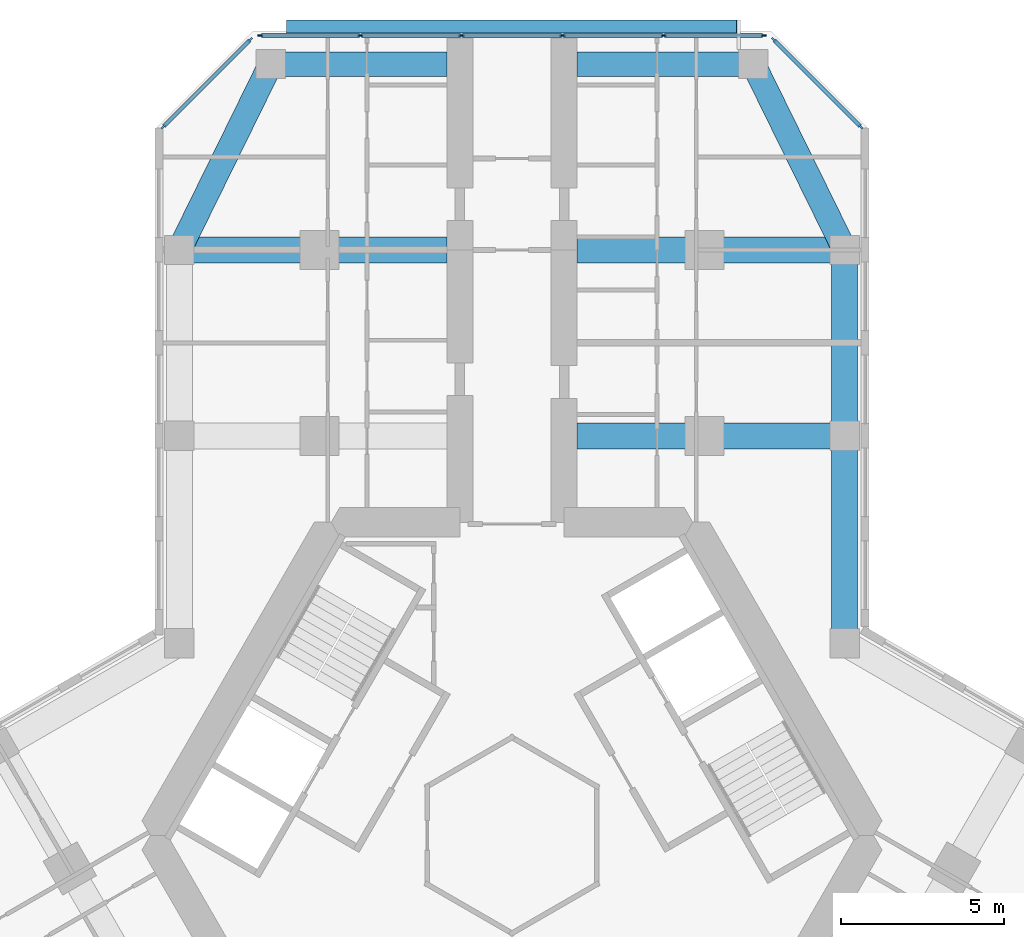
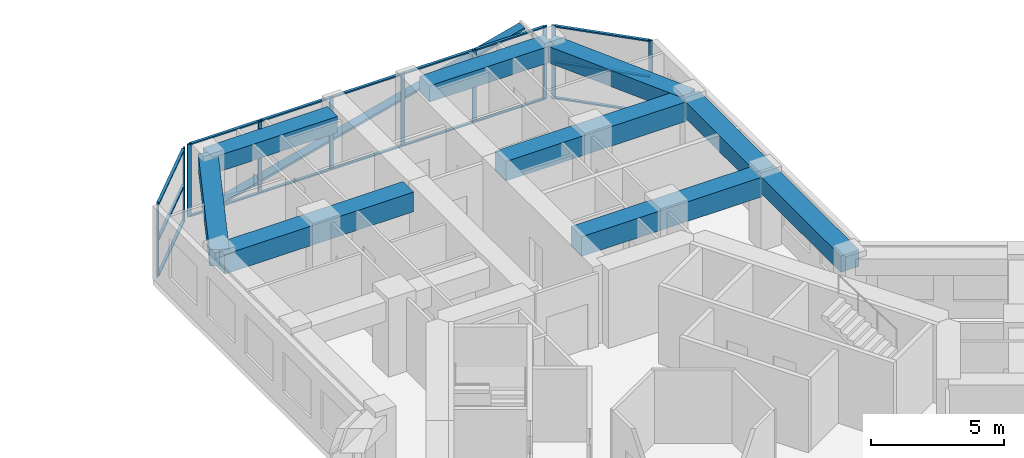
# One storey, part 7 of 19: 27 members, 9 beams, 3 elements without a shape of their own.
"""IFC4 building model written with IfcOpenShell, lengths in metres."""

from ifc_helpers import new_model, si_unit, direction, frame, origin, origin_2d, place, context, subcontext, project, spatial, rectangle, extrude, material, material_profile, profile_set, type_object, element, aggregate, save


model = new_model("IFC4")

# Units and contexts
model_context = context("Model", 3, precision=1e-05, world=origin(), true_north=direction((0.0, 1.0)))
body_context = subcontext(model_context, "Body", "Model", "MODEL_VIEW")
ifc_project = project(units=[si_unit("LENGTHUNIT", "METRE"), si_unit("AREAUNIT", "SQUARE_METRE"), si_unit("VOLUMEUNIT", "CUBIC_METRE"), si_unit("PLANEANGLEUNIT", "RADIAN"), si_unit("MASSUNIT", "GRAM", prefix="KILO")], contexts=[model_context])

# Site, building, storey
site_placement = place(None, origin())
site = spatial("IfcSite", under=ifc_project, at=site_placement, CompositionType="ELEMENT")
building_placement = place(site_placement, origin())
building = spatial("IfcBuilding", under=site, at=building_placement, Name="Kosmar Iwan School Tower", CompositionType="ELEMENT")
storey_placement = place(building_placement, frame((0.0, 0.0, 149.0)))
storey = spatial("IfcBuildingStorey", under=building, at=storey_placement, Name="L37", CompositionType="ELEMENT", Elevation=149.0)

# Member
ifc_material_1 = material(Name="Black anodised aluminium", Category="aluminium")
ifc_material_profile_1 = material_profile(ifc_material_1, rectangle(XDim=0.10009765625, YDim=0.39990234375, at=origin_2d()), Name="FIN 100x400")
ifc_profile_set_1 = profile_set([ifc_material_profile_1], Name="Black anodised aluminium")
member_type_1 = type_object("IfcMemberType", Name="Diagonal fin 100x400", PredefinedType="USERDEFINED", material=ifc_profile_set_1)
member_1_placement = place(storey_placement, frame((-6.898193359375, 24.800048828125, -0.14990234375), z_axis=(0.967603633438, 0.0, 0.252474174041), x_axis=(-0.252474174041, 0.0, 0.967603633438)))
element("IfcMember", 1, at=member_1_placement, inside=storey, type_object=member_type_1, Name="Diagonal fin L37-F08", ObjectType="FIN", PredefinedType="USERDEFINED", context=body_context, shape_type="SweptSolid", body=[
    extrude(rectangle(XDim=0.10009765625, YDim=0.39990234375, at=origin_2d()), origin(), (0.0, 0.0, 1.0), 14.25830078125),
])

# Curtain wall, members
ifc_material_2 = material(Name="Dark glass in black aluminium frame", Category="aluminium")
curtain_wall_type_1 = type_object("IfcCurtainWallType", Name="Chamfer curtain wall dark glass", PredefinedType="USERDEFINED", material=ifc_material_2)
curtain_wall_1_placement = place(storey_placement, origin())
curtain_wall_1 = element("IfcCurtainWall", 2, at=curtain_wall_1_placement, inside=storey, type_object=curtain_wall_type_1, Name="Curtain wall L37-F07", ObjectType="FACETED CURTAIN WALL", PredefinedType="USERDEFINED")
ifc_material_3 = material(Name="Black anodised aluminium", Category="aluminium")
ifc_material_profile_2 = material_profile(ifc_material_3, rectangle(XDim=0.06005859375, YDim=0.159912109375, at=origin_2d()), Name="MULLION 60x160")
ifc_profile_set_2 = profile_set([ifc_material_profile_2], Name="Black anodised aluminium")
member_type_2 = type_object("IfcMemberType", Name="Mullion 60x160", PredefinedType="MULLION", material=ifc_profile_set_2)
member_2_placement = place(storey_placement, frame((10.69775390625, 21.7255859375, 0.0), z_axis=(0.0, 0.0, 1.0), x_axis=(-0.707106781187, -0.707106781187, 0.0)))
member_2 = element("IfcMember", 3, at=member_2_placement, type_object=member_type_2, Name="CW2 mullion 1", PredefinedType="MULLION", context=body_context, shape_type="SweptSolid", body=[
    extrude(rectangle(XDim=0.06005859375, YDim=0.159912109375, at=origin_2d()), origin(), (0.0, 0.0, 1.0), 3.35009765625),
])
member_3_placement = place(storey_placement, frame((8.025390625, 24.397705078125, 0.0), z_axis=(0.0, 0.0, 1.0), x_axis=(-0.707106781187, -0.707106781187, 0.0)))
member_3 = element("IfcMember", 4, at=member_3_placement, type_object=member_type_2, Name="CW2 mullion 2", PredefinedType="MULLION", context=body_context, shape_type="SweptSolid", body=[
    extrude(rectangle(XDim=0.06005859375, YDim=0.159912109375, at=origin_2d()), origin(), (0.0, 0.0, 1.0), 3.35009765625),
])

ifc_material_4 = material(Name="Dark glass in black aluminium frame", Category="aluminium")
curtain_wall_type_2 = type_object("IfcCurtainWallType", Name="Tower curtain wall dark glass", PredefinedType="USERDEFINED", material=ifc_material_4)
curtain_wall_2_placement = place(storey_placement, origin())
curtain_wall_2 = element("IfcCurtainWall", 5, at=curtain_wall_2_placement, inside=storey, type_object=curtain_wall_type_2, Name="Curtain wall L37-F08", ObjectType="UNITISED CURTAIN WALL", PredefinedType="USERDEFINED")
member_4_placement = place(storey_placement, frame((7.71826171875, 24.52490234375, 0.0), z_axis=(0.0, 0.0, 1.0), x_axis=(0.0, -1.0, 0.0)))
member_4 = element("IfcMember", 6, at=member_4_placement, type_object=member_type_2, Name="CW1 mullion 1", PredefinedType="MULLION", context=body_context, shape_type="SweptSolid", body=[
    extrude(rectangle(XDim=0.06005859375, YDim=0.159912109375, at=origin_2d()), origin(), (0.0, 0.0, 1.0), 3.35009765625),
])
member_5_placement = place(storey_placement, frame((4.64892578125, 24.52490234375, 0.0), z_axis=(0.0, 0.0, 1.0), x_axis=(0.0, -1.0, 0.0)))
member_5 = element("IfcMember", 7, at=member_5_placement, type_object=member_type_2, Name="CW1 mullion 2", PredefinedType="MULLION", context=body_context, shape_type="SweptSolid", body=[
    extrude(rectangle(XDim=0.06005859375, YDim=0.159912109375, at=origin_2d()), origin(), (0.0, 0.0, 1.0), 3.35009765625),
])
member_6_placement = place(storey_placement, frame((1.549560546875, 24.52490234375, 0.0), z_axis=(0.0, 0.0, 1.0), x_axis=(0.0, -1.0, 0.0)))
member_6 = element("IfcMember", 8, at=member_6_placement, type_object=member_type_2, Name="CW1 mullion 3", PredefinedType="MULLION", context=body_context, shape_type="SweptSolid", body=[
    extrude(rectangle(XDim=0.06005859375, YDim=0.159912109375, at=origin_2d()), origin(), (0.0, 0.0, 1.0), 3.35009765625),
])
member_7_placement = place(storey_placement, frame((-1.549560546875, 24.52490234375, 0.0), z_axis=(0.0, 0.0, 1.0), x_axis=(0.0, -1.0, 0.0)))
member_7 = element("IfcMember", 9, at=member_7_placement, type_object=member_type_2, Name="CW1 mullion 4", PredefinedType="MULLION", context=body_context, shape_type="SweptSolid", body=[
    extrude(rectangle(XDim=0.06005859375, YDim=0.159912109375, at=origin_2d()), origin(), (0.0, 0.0, 1.0), 3.35009765625),
])
member_8_placement = place(storey_placement, frame((-4.64892578125, 24.52490234375, 0.0), z_axis=(0.0, 0.0, 1.0), x_axis=(0.0, -1.0, 0.0)))
member_8 = element("IfcMember", 10, at=member_8_placement, type_object=member_type_2, Name="CW1 mullion 5", PredefinedType="MULLION", context=body_context, shape_type="SweptSolid", body=[
    extrude(rectangle(XDim=0.06005859375, YDim=0.159912109375, at=origin_2d()), origin(), (0.0, 0.0, 1.0), 3.35009765625),
])
member_9_placement = place(storey_placement, frame((-7.71826171875, 24.52490234375, 0.0), z_axis=(0.0, 0.0, 1.0), x_axis=(0.0, -1.0, 0.0)))
member_9 = element("IfcMember", 11, at=member_9_placement, type_object=member_type_2, Name="CW1 mullion 6", PredefinedType="MULLION", context=body_context, shape_type="SweptSolid", body=[
    extrude(rectangle(XDim=0.06005859375, YDim=0.159912109375, at=origin_2d()), origin(), (0.0, 0.0, 1.0), 3.35009765625),
])

curtain_wall_3_placement = place(storey_placement, origin())
curtain_wall_3 = element("IfcCurtainWall", 12, at=curtain_wall_3_placement, inside=storey, type_object=curtain_wall_type_1, Name="Curtain wall L37-F09", ObjectType="FACETED CURTAIN WALL", PredefinedType="USERDEFINED")
member_10_placement = place(storey_placement, frame((-8.025390625, 24.397705078125, 0.0), z_axis=(0.0, 0.0, 1.0), x_axis=(0.707106781187, -0.707106781187, 0.0)))
member_10 = element("IfcMember", 13, at=member_10_placement, type_object=member_type_2, Name="CW2 mullion 1", PredefinedType="MULLION", context=body_context, shape_type="SweptSolid", body=[
    extrude(rectangle(XDim=0.06005859375, YDim=0.159912109375, at=origin_2d()), origin(), (0.0, 0.0, 1.0), 3.35009765625),
])
member_11_placement = place(storey_placement, frame((-10.69775390625, 21.7255859375, 0.0), z_axis=(0.0, 0.0, 1.0), x_axis=(0.707106781187, -0.707106781187, 0.0)))
member_11 = element("IfcMember", 14, at=member_11_placement, type_object=member_type_2, Name="CW2 mullion 2", PredefinedType="MULLION", context=body_context, shape_type="SweptSolid", body=[
    extrude(rectangle(XDim=0.06005859375, YDim=0.159912109375, at=origin_2d()), origin(), (0.0, 0.0, 1.0), 3.35009765625),
])

# Beams
ifc_material_5 = material(Name="Concrete C50/60", Category="concrete")
ifc_material_profile_3 = material_profile(ifc_material_5, rectangle(XDim=0.800048828125, YDim=0.75, at=origin_2d()), Name="RC 800x750")
ifc_profile_set_3 = profile_set([ifc_material_profile_3], Name="Concrete C50/60")
beam_type_1 = type_object("IfcBeamType", Name="RC edge beam 800x750", PredefinedType="BEAM", material=ifc_profile_set_3)
beam_1_placement = place(storey_placement, frame((10.199951171875, 5.888916015625, 2.97509765625), z_axis=(0.0, 1.0, 0.0), x_axis=(-1.0, 0.0, 0.0)))
element("IfcBeam", 15, at=beam_1_placement, inside=storey, type_object=beam_type_1, Name="Edge beam AR1", PredefinedType="BEAM", context=body_context, shape_type="SweptSolid", body=[
    extrude(rectangle(XDim=0.800048828125, YDim=0.75, at=origin_2d()), origin(), (0.0, 0.0, 1.0), 6.361083984375),
])
beam_2_placement = place(storey_placement, frame((10.199951171875, 12.25, 2.97509765625), z_axis=(0.0, 1.0, 0.0), x_axis=(-1.0, 0.0, 0.0)))
element("IfcBeam", 16, at=beam_2_placement, inside=storey, type_object=beam_type_1, Name="Edge beam AR2", PredefinedType="BEAM", context=body_context, shape_type="SweptSolid", body=[
    extrude(rectangle(XDim=0.800048828125, YDim=0.75, at=origin_2d()), origin(), (0.0, 0.0, 1.0), 5.699951171875),
])
ifc_material_6 = material(Name="Concrete C50/60", Category="concrete")
ifc_material_profile_4 = material_profile(ifc_material_6, rectangle(XDim=0.75, YDim=0.75, at=origin_2d()), Name="RC 750x750")
ifc_profile_set_4 = profile_set([ifc_material_profile_4], Name="Concrete C50/60")
beam_type_2 = type_object("IfcBeamType", Name="RC tip beam 750x750", PredefinedType="BEAM", material=ifc_profile_set_4)
beam_3_placement = place(storey_placement, frame((-10.199951171875, 17.949951171875, 2.97509765625), z_axis=(0.440913116462, 0.897549788999, 0.0), x_axis=(-0.897549788999, 0.440913116462, 0.0)))
element("IfcBeam", 17, at=beam_3_placement, inside=storey, type_object=beam_type_2, Name="Tip beam AL", PredefinedType="BEAM", context=body_context, shape_type="SweptSolid", body=[
    extrude(rectangle(XDim=0.75, YDim=0.75, at=origin_2d()), origin(), (0.0, 0.0, 1.0), 6.3505859375),
])
beam_4_placement = place(storey_placement, frame((-7.39990234375, 23.64990234375, 2.97509765625), z_axis=(1.0, 0.0, 0.0), x_axis=(0.0, 1.0, 0.0)))
element("IfcBeam", 18, at=beam_4_placement, inside=storey, type_object=beam_type_2, Name="Tip beam AL to corridor wall", PredefinedType="BEAM", context=body_context, shape_type="SweptSolid", body=[
    extrude(rectangle(XDim=0.75, YDim=0.75, at=origin_2d()), origin(), (0.0, 0.0, 1.0), 5.39990234375),
])
beam_5_placement = place(storey_placement, frame((10.199951171875, 17.949951171875, 2.97509765625), z_axis=(-0.440913116462, 0.897549788999, 0.0), x_axis=(-0.897549788999, -0.440913116462, 0.0)))
element("IfcBeam", 19, at=beam_5_placement, inside=storey, type_object=beam_type_2, Name="Tip beam AR", PredefinedType="BEAM", context=body_context, shape_type="SweptSolid", body=[
    extrude(rectangle(XDim=0.75, YDim=0.75, at=origin_2d()), origin(), (0.0, 0.0, 1.0), 6.3505859375),
])
beam_6_placement = place(storey_placement, frame((7.39990234375, 23.64990234375, 2.97509765625), z_axis=(-1.0, 0.0, 0.0), x_axis=(0.0, -1.0, 0.0)))
element("IfcBeam", 20, at=beam_6_placement, inside=storey, type_object=beam_type_2, Name="Tip beam AR to corridor wall", PredefinedType="BEAM", context=body_context, shape_type="SweptSolid", body=[
    extrude(rectangle(XDim=0.75, YDim=0.75, at=origin_2d()), origin(), (0.0, 0.0, 1.0), 5.39990234375),
])
ifc_material_7 = material(Name="Concrete C50/60", Category="concrete")
ifc_material_profile_5 = material_profile(ifc_material_7, rectangle(XDim=0.800048828125, YDim=0.89990234375, at=origin_2d()), Name="RC 800x900")
ifc_profile_set_5 = profile_set([ifc_material_profile_5], Name="Concrete C50/60")
beam_type_3 = type_object("IfcBeamType", Name="RC transverse beam 800x900", PredefinedType="BEAM", material=ifc_profile_set_5)
for number, where, z_axis, x_axis, name in (
    (21, (-10.199951171875, 17.949951171875, 2.89990234375), (1.0, 0.0, 0.0), (0.0, 1.0, 0.0), "Transverse beam AL2"),
    (22, (10.199951171875, 12.25, 2.89990234375), (-1.0, 0.0, 0.0), (0.0, -1.0, 0.0), "Transverse beam AR1"),
    (23, (10.199951171875, 17.949951171875, 2.89990234375), (-1.0, 0.0, 0.0), (0.0, -1.0, 0.0), "Transverse beam AR2"),
):
    element("IfcBeam", number, at=place(storey_placement, frame(where, z_axis=z_axis, x_axis=x_axis)), inside=storey, type_object=beam_type_3, Name=name, PredefinedType="BEAM", context=body_context, shape_type="SweptSolid", body=[
        extrude(rectangle(XDim=0.800048828125, YDim=0.89990234375, at=origin_2d()), origin(), (0.0, 0.0, 1.0), 8.199951171875),
    ])

# Member
ifc_material_8 = material(Name="Black anodised aluminium", Category="aluminium")
ifc_material_profile_6 = material_profile(ifc_material_8, rectangle(XDim=0.1201171875, YDim=0.06005859375, at=origin_2d()), Name="TRANSOM 60x120")
ifc_profile_set_6 = profile_set([ifc_material_profile_6], Name="Black anodised aluminium")
member_type_3 = type_object("IfcMemberType", Name="Transom 60x120", PredefinedType="USERDEFINED", material=ifc_profile_set_6)
member_12_placement = place(storey_placement, frame((10.676513671875, 21.746826171875, 0.030029296875), z_axis=(-0.707139603466, 0.707073957383, 0.0), x_axis=(-0.707073957383, -0.707139603466, 0.0)))
member_12 = element("IfcMember", 24, at=member_12_placement, type_object=member_type_3, Name="CW2 transom 1.1", ObjectType="TRANSOM", PredefinedType="USERDEFINED", context=body_context, shape_type="SweptSolid", body=[
    extrude(rectangle(XDim=0.1201171875, YDim=0.06005859375, at=origin_2d()), origin(), (0.0, 0.0, 1.0), 3.718994140625),
])

member_13_placement = place(storey_placement, frame((10.676513671875, 21.746826171875, 1.675048828125), z_axis=(-0.707139603466, 0.707073957383, 0.0), x_axis=(-0.707073957383, -0.707139603466, 0.0)))
member_13 = element("IfcMember", 25, at=member_13_placement, type_object=member_type_3, Name="CW2 transom 1.2", ObjectType="TRANSOM", PredefinedType="USERDEFINED", context=body_context, shape_type="SweptSolid", body=[
    extrude(rectangle(XDim=0.1201171875, YDim=0.06005859375, at=origin_2d()), origin(), (0.0, 0.0, 1.0), 3.718994140625),
])

member_14_placement = place(storey_placement, frame((10.676513671875, 21.746826171875, 3.320068359375), z_axis=(-0.707139603466, 0.707073957383, 0.0), x_axis=(-0.707073957383, -0.707139603466, 0.0)))
member_14 = element("IfcMember", 26, at=member_14_placement, type_object=member_type_3, Name="CW2 transom 1.3", ObjectType="TRANSOM", PredefinedType="USERDEFINED", context=body_context, shape_type="SweptSolid", body=[
    extrude(rectangle(XDim=0.1201171875, YDim=0.06005859375, at=origin_2d()), origin(), (0.0, 0.0, 1.0), 3.718994140625),
])

aggregate(curtain_wall_1, [member_2, member_3, member_12, member_13, member_14])

member_15_placement = place(storey_placement, frame((7.688232421875, 24.52490234375, 0.030029296875), z_axis=(-1.0, 0.0, 0.0), x_axis=(0.0, -1.0, 0.0)))
member_15 = element("IfcMember", 27, at=member_15_placement, type_object=member_type_3, Name="CW1 transom 1.1", ObjectType="TRANSOM", PredefinedType="USERDEFINED", context=body_context, shape_type="SweptSolid", body=[
    extrude(rectangle(XDim=0.1201171875, YDim=0.06005859375, at=origin_2d()), origin(), (0.0, 0.0, 1.0), 3.00927734375),
])

member_16_placement = place(storey_placement, frame((7.688232421875, 24.52490234375, 3.320068359375), z_axis=(-1.0, 0.0, 0.0), x_axis=(0.0, -1.0, 0.0)))
member_16 = element("IfcMember", 28, at=member_16_placement, type_object=member_type_3, Name="CW1 transom 1.2", ObjectType="TRANSOM", PredefinedType="USERDEFINED", context=body_context, shape_type="SweptSolid", body=[
    extrude(rectangle(XDim=0.1201171875, YDim=0.06005859375, at=origin_2d()), origin(), (0.0, 0.0, 1.0), 3.00927734375),
])

member_17_placement = place(storey_placement, frame((4.618896484375, 24.52490234375, 0.030029296875), z_axis=(-1.0, 0.0, 0.0), x_axis=(0.0, -1.0, 0.0)))
member_17 = element("IfcMember", 29, at=member_17_placement, type_object=member_type_3, Name="CW1 transom 2.1", ObjectType="TRANSOM", PredefinedType="USERDEFINED", context=body_context, shape_type="SweptSolid", body=[
    extrude(rectangle(XDim=0.1201171875, YDim=0.06005859375, at=origin_2d()), origin(), (0.0, 0.0, 1.0), 3.039306640625),
])

member_18_placement = place(storey_placement, frame((4.618896484375, 24.52490234375, 3.320068359375), z_axis=(-1.0, 0.0, 0.0), x_axis=(0.0, -1.0, 0.0)))
member_18 = element("IfcMember", 30, at=member_18_placement, type_object=member_type_3, Name="CW1 transom 2.2", ObjectType="TRANSOM", PredefinedType="USERDEFINED", context=body_context, shape_type="SweptSolid", body=[
    extrude(rectangle(XDim=0.1201171875, YDim=0.06005859375, at=origin_2d()), origin(), (0.0, 0.0, 1.0), 3.039306640625),
])

member_19_placement = place(storey_placement, frame((1.51953125, 24.52490234375, 0.030029296875), z_axis=(-1.0, 0.0, 0.0), x_axis=(0.0, -1.0, 0.0)))
member_19 = element("IfcMember", 31, at=member_19_placement, type_object=member_type_3, Name="CW1 transom 3.1", ObjectType="TRANSOM", PredefinedType="USERDEFINED", context=body_context, shape_type="SweptSolid", body=[
    extrude(rectangle(XDim=0.1201171875, YDim=0.06005859375, at=origin_2d()), origin(), (0.0, 0.0, 1.0), 3.0390625),
])

member_20_placement = place(storey_placement, frame((1.51953125, 24.52490234375, 3.320068359375), z_axis=(-1.0, 0.0, 0.0), x_axis=(0.0, -1.0, 0.0)))
member_20 = element("IfcMember", 32, at=member_20_placement, type_object=member_type_3, Name="CW1 transom 3.2", ObjectType="TRANSOM", PredefinedType="USERDEFINED", context=body_context, shape_type="SweptSolid", body=[
    extrude(rectangle(XDim=0.1201171875, YDim=0.06005859375, at=origin_2d()), origin(), (0.0, 0.0, 1.0), 3.0390625),
])

member_21_placement = place(storey_placement, frame((-1.57958984375, 24.52490234375, 0.030029296875), z_axis=(-1.0, 0.0, 0.0), x_axis=(0.0, -1.0, 0.0)))
member_21 = element("IfcMember", 33, at=member_21_placement, type_object=member_type_3, Name="CW1 transom 4.1", ObjectType="TRANSOM", PredefinedType="USERDEFINED", context=body_context, shape_type="SweptSolid", body=[
    extrude(rectangle(XDim=0.1201171875, YDim=0.06005859375, at=origin_2d()), origin(), (0.0, 0.0, 1.0), 3.039306640625),
])

member_22_placement = place(storey_placement, frame((-1.57958984375, 24.52490234375, 3.320068359375), z_axis=(-1.0, 0.0, 0.0), x_axis=(0.0, -1.0, 0.0)))
member_22 = element("IfcMember", 34, at=member_22_placement, type_object=member_type_3, Name="CW1 transom 4.2", ObjectType="TRANSOM", PredefinedType="USERDEFINED", context=body_context, shape_type="SweptSolid", body=[
    extrude(rectangle(XDim=0.1201171875, YDim=0.06005859375, at=origin_2d()), origin(), (0.0, 0.0, 1.0), 3.039306640625),
])

member_23_placement = place(storey_placement, frame((-4.678955078125, 24.52490234375, 0.030029296875), z_axis=(-1.0, 0.0, 0.0), x_axis=(0.0, -1.0, 0.0)))
member_23 = element("IfcMember", 35, at=member_23_placement, type_object=member_type_3, Name="CW1 transom 5.1", ObjectType="TRANSOM", PredefinedType="USERDEFINED", context=body_context, shape_type="SweptSolid", body=[
    extrude(rectangle(XDim=0.1201171875, YDim=0.06005859375, at=origin_2d()), origin(), (0.0, 0.0, 1.0), 3.00927734375),
])

member_24_placement = place(storey_placement, frame((-4.678955078125, 24.52490234375, 3.320068359375), z_axis=(-1.0, 0.0, 0.0), x_axis=(0.0, -1.0, 0.0)))
member_24 = element("IfcMember", 36, at=member_24_placement, type_object=member_type_3, Name="CW1 transom 5.2", ObjectType="TRANSOM", PredefinedType="USERDEFINED", context=body_context, shape_type="SweptSolid", body=[
    extrude(rectangle(XDim=0.1201171875, YDim=0.06005859375, at=origin_2d()), origin(), (0.0, 0.0, 1.0), 3.00927734375),
])

aggregate(curtain_wall_2, [member_4, member_5, member_6, member_7, member_8, member_9, member_15, member_16, member_17, member_18, member_19, member_20, member_21, member_22, member_23, member_24])

member_25_placement = place(storey_placement, frame((-8.046630859375, 24.37646484375, 0.030029296875), z_axis=(-0.707139603466, -0.707073957383, 0.0), x_axis=(0.707073957383, -0.707139603466, 0.0)))
member_25 = element("IfcMember", 37, at=member_25_placement, type_object=member_type_3, Name="CW2 transom 1.1", ObjectType="TRANSOM", PredefinedType="USERDEFINED", context=body_context, shape_type="SweptSolid", body=[
    extrude(rectangle(XDim=0.1201171875, YDim=0.06005859375, at=origin_2d()), origin(), (0.0, 0.0, 1.0), 3.718994140625),
])

member_26_placement = place(storey_placement, frame((-8.046630859375, 24.37646484375, 1.675048828125), z_axis=(-0.707139603466, -0.707073957383, 0.0), x_axis=(0.707073957383, -0.707139603466, 0.0)))
member_26 = element("IfcMember", 38, at=member_26_placement, type_object=member_type_3, Name="CW2 transom 1.2", ObjectType="TRANSOM", PredefinedType="USERDEFINED", context=body_context, shape_type="SweptSolid", body=[
    extrude(rectangle(XDim=0.1201171875, YDim=0.06005859375, at=origin_2d()), origin(), (0.0, 0.0, 1.0), 3.718994140625),
])

member_27_placement = place(storey_placement, frame((-8.046630859375, 24.37646484375, 3.320068359375), z_axis=(-0.707139603466, -0.707073957383, 0.0), x_axis=(0.707073957383, -0.707139603466, 0.0)))
member_27 = element("IfcMember", 39, at=member_27_placement, type_object=member_type_3, Name="CW2 transom 1.3", ObjectType="TRANSOM", PredefinedType="USERDEFINED", context=body_context, shape_type="SweptSolid", body=[
    extrude(rectangle(XDim=0.1201171875, YDim=0.06005859375, at=origin_2d()), origin(), (0.0, 0.0, 1.0), 3.718994140625),
])

aggregate(curtain_wall_3, [member_10, member_11, member_25, member_26, member_27])

save(model, "model.ifc")
